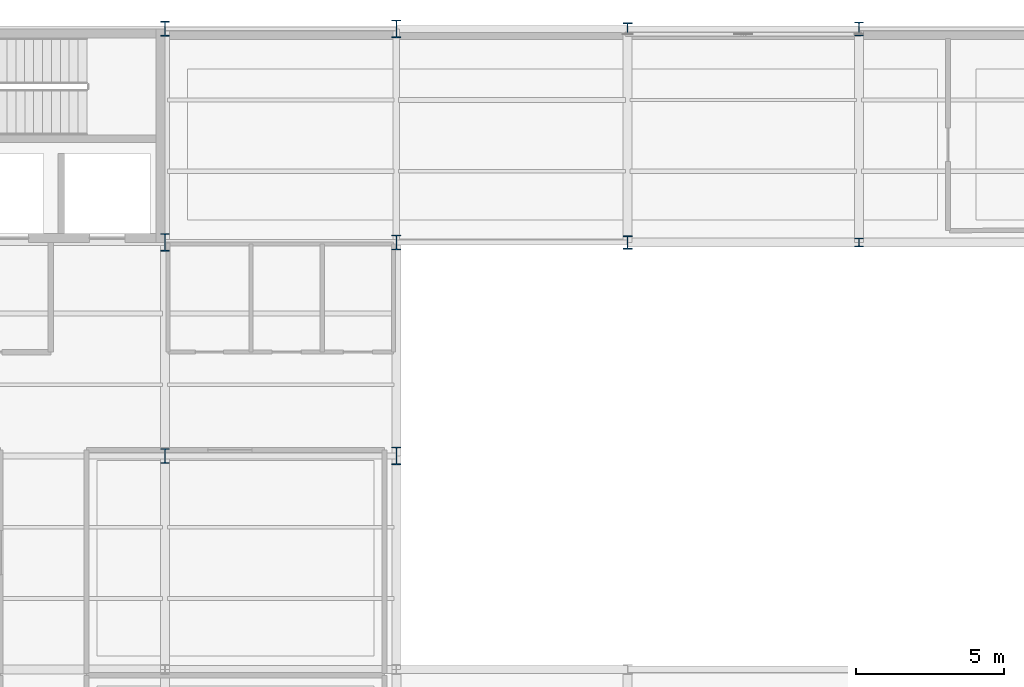
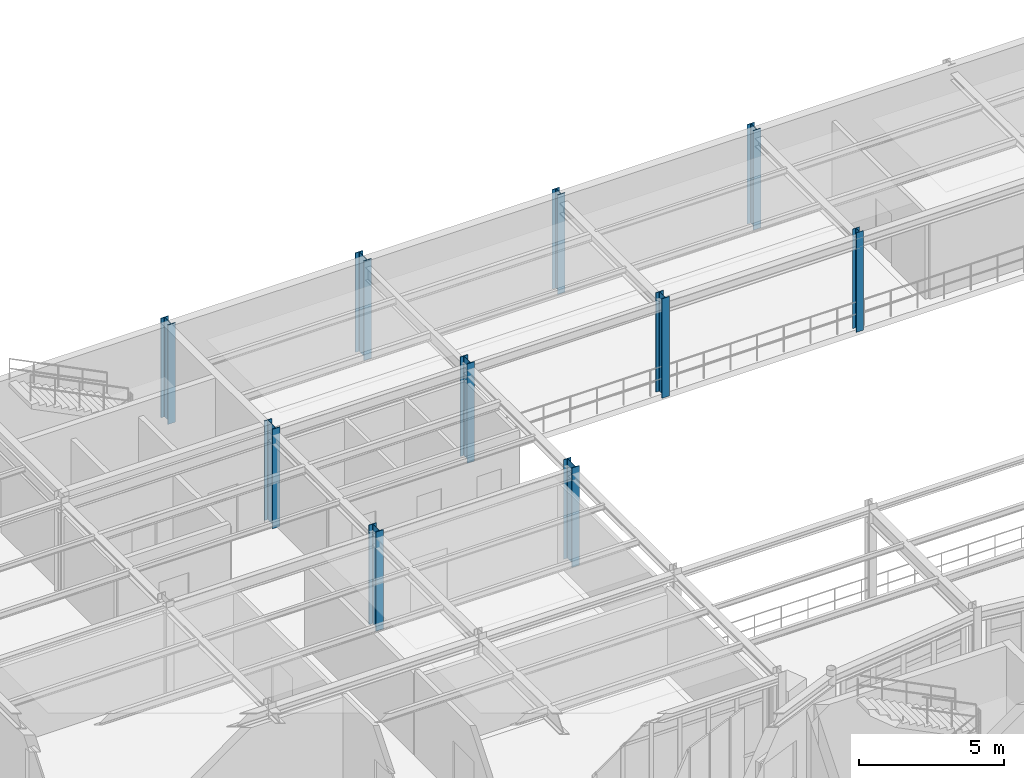
# One storey, part 19 of 90: 10 columns.
"""IFC4 building model written with IfcOpenShell, lengths in metres."""

from ifc_helpers import new_model, si_unit, derived_unit, direction, frame, origin, origin_2d, place, context, subcontext, project, spatial, i_section, extrude, material, material_profile, profile_set, type_object, element, save


model = new_model("IFC4")

# Units and contexts
model_context = context("Model", 3, precision=1e-05, world=origin(), true_north=direction((0.0, 1.0)))
body_context = subcontext(model_context, "Body", "Model", "MODEL_VIEW")
ifc_project = project(units=[si_unit("LENGTHUNIT", "METRE"), si_unit("AREAUNIT", "SQUARE_METRE"), si_unit("VOLUMEUNIT", "CUBIC_METRE"), si_unit("PLANEANGLEUNIT", "RADIAN"), si_unit("MASSUNIT", "GRAM", prefix="KILO"), derived_unit("THERMALTRANSMITTANCEUNIT", [(si_unit("POWERUNIT", "WATT"), 1), (si_unit("AREAUNIT", "SQUARE_METRE"), -1), (si_unit("THERMODYNAMICTEMPERATUREUNIT", "KELVIN"), -1)])], contexts=[model_context])

# Site, building, storey
site_placement = place(None, origin())
site = spatial("IfcSite", under=ifc_project, at=site_placement, CompositionType="ELEMENT")
building_placement = place(site_placement, origin())
building = spatial("IfcBuilding", under=site, at=building_placement, Name="Yasenodar Specialist Clinic", CompositionType="ELEMENT")
storey_placement = place(building_placement, frame((0.0, 0.0, 9.0)))
storey = spatial("IfcBuildingStorey", under=building, at=storey_placement, Name="L02", CompositionType="ELEMENT", Elevation=9.0)

# Columns
ifc_material = material(Name="Steel S355", Category="steel")
ifc_material_profile_1 = material_profile(ifc_material, i_section(OverallWidth=0.280029296875, OverallDepth=0.280029296875, WebThickness=0.010498046875, FlangeThickness=0.01806640625, FilletRadius=0.02392578125, at=origin_2d()), Name="HEB 280")
ifc_profile_set_1 = profile_set([ifc_material_profile_1], Name="Steel S355")
column_type_1 = type_object("IfcColumnType", Name="COL-ST-HEB280", PredefinedType="COLUMN", material=ifc_profile_set_1)
column_1_placement = place(storey_placement, frame((88.800048828125, 104.39990234375, 0.0), z_axis=(0.0, 0.0, 1.0), x_axis=(1.0, 0.0, 0.0)))
element("IfcColumn", 1, at=column_1_placement, inside=storey, type_object=column_type_1, Name="L02 Column V5-109", PredefinedType="COLUMN", context=body_context, shape_type="SweptSolid", body=[
    extrude(i_section(OverallWidth=0.280029296875, OverallDepth=0.280029296875, WebThickness=0.010498046875, FlangeThickness=0.01806640625, FilletRadius=0.02392578125, at=origin_2d()), origin(), (0.0, 0.0, 1.0), 4.199951171875),
])
ifc_material_profile_2 = material_profile(ifc_material, i_section(OverallWidth=0.300048828125, OverallDepth=0.39990234375, WebThickness=0.013427734375, FlangeThickness=0.02392578125, FilletRadius=0.027099609375, at=origin_2d()), Name="HEB 400")
ifc_profile_set_2 = profile_set([ifc_material_profile_2], Name="Steel S355")
column_type_2 = type_object("IfcColumnType", Name="COL-ST-HEB400", PredefinedType="COLUMN", material=ifc_profile_set_2)
column_2_placement = place(storey_placement, frame((81.0, 111.60009765625, 0.0), z_axis=(0.0, 0.0, 1.0), x_axis=(1.0, 0.0, 0.0)))
element("IfcColumn", 2, at=column_2_placement, inside=storey, type_object=column_type_2, Name="L02 Column V5-106", PredefinedType="COLUMN", context=body_context, shape_type="SweptSolid", body=[
    extrude(i_section(OverallWidth=0.300048828125, OverallDepth=0.39990234375, WebThickness=0.013427734375, FlangeThickness=0.02392578125, FilletRadius=0.027099609375, at=origin_2d()), origin(), (0.0, 0.0, 1.0), 4.199951171875),
])
ifc_material_profile_3 = material_profile(ifc_material, i_section(OverallWidth=0.300048828125, OverallDepth=0.449951171875, WebThickness=0.013916015625, FlangeThickness=0.02587890625, FilletRadius=0.027099609375, at=origin_2d()), Name="HEB 450")
ifc_profile_set_3 = profile_set([ifc_material_profile_3], Name="Steel S355")
column_type_3 = type_object("IfcColumnType", Name="COL-ST-HEB450", PredefinedType="COLUMN", material=ifc_profile_set_3)
for number, where, z_axis, x_axis, name in (
    (3, (81.0, 104.39990234375, 0.0), (0.0, 0.0, 1.0), (1.0, 0.0, 0.0), "L02 Column V5-105"),
    (4, (88.800048828125, 111.60009765625, 0.0), (0.0, 0.0, 1.0), (1.0, 0.0, 0.0), "L02 Column V5-110"),
):
    element("IfcColumn", number, at=place(storey_placement, frame(where, z_axis=z_axis, x_axis=x_axis)), inside=storey, type_object=column_type_3, Name=name, PredefinedType="COLUMN", context=body_context, shape_type="SweptSolid", body=[
        extrude(i_section(OverallWidth=0.300048828125, OverallDepth=0.449951171875, WebThickness=0.013916015625, FlangeThickness=0.02587890625, FilletRadius=0.027099609375, at=origin_2d()), origin(), (0.0, 0.0, 1.0), 4.199951171875),
    ])
ifc_material_profile_4 = material_profile(ifc_material, i_section(OverallWidth=0.300048828125, OverallDepth=0.5, WebThickness=0.014404296875, FlangeThickness=0.028076171875, FilletRadius=0.027099609375, at=origin_2d()), Name="HEB 500")
ifc_profile_set_4 = profile_set([ifc_material_profile_4], Name="Steel S355")
column_type_4 = type_object("IfcColumnType", Name="COL-ST-HEB500", PredefinedType="COLUMN", material=ifc_profile_set_4)
for number, where, z_axis, x_axis, name in (
    (5, (65.39990234375, 97.199951171875, 0.0), (0.0, 0.0, 1.0), (1.0, 0.0, 0.0), "L02 Column V5-095"),
    (6, (65.39990234375, 111.60009765625, 0.0), (0.0, 0.0, 1.0), (1.0, 0.0, 0.0), "L02 Column V5-097"),
    (7, (73.199951171875, 104.39990234375, 0.0), (0.0, 0.0, 1.0), (1.0, 0.0, 0.0), "L02 Column V5-101"),
):
    element("IfcColumn", number, at=place(storey_placement, frame(where, z_axis=z_axis, x_axis=x_axis)), inside=storey, type_object=column_type_4, Name=name, PredefinedType="COLUMN", context=body_context, shape_type="SweptSolid", body=[
        extrude(i_section(OverallWidth=0.300048828125, OverallDepth=0.5, WebThickness=0.014404296875, FlangeThickness=0.028076171875, FilletRadius=0.027099609375, at=origin_2d()), origin(), (0.0, 0.0, 1.0), 4.199951171875),
    ])
ifc_material_profile_5 = material_profile(ifc_material, i_section(OverallWidth=0.300048828125, OverallDepth=0.60009765625, WebThickness=0.015380859375, FlangeThickness=0.030029296875, FilletRadius=0.027099609375, at=origin_2d()), Name="HEB 600")
ifc_profile_set_5 = profile_set([ifc_material_profile_5], Name="Steel S355")
column_type_5 = type_object("IfcColumnType", Name="COL-ST-HEB600", PredefinedType="COLUMN", material=ifc_profile_set_5)
for number, where, z_axis, x_axis, name in (
    (8, (65.39990234375, 104.39990234375, 0.0), (0.0, 0.0, 1.0), (1.0, 0.0, 0.0), "L02 Column V5-096"),
    (9, (73.199951171875, 97.199951171875, 0.0), (0.0, 0.0, 1.0), (1.0, 0.0, 0.0), "L02 Column V5-100"),
    (10, (73.199951171875, 111.60009765625, 0.0), (0.0, 0.0, 1.0), (1.0, 0.0, 0.0), "L02 Column V5-102"),
):
    element("IfcColumn", number, at=place(storey_placement, frame(where, z_axis=z_axis, x_axis=x_axis)), inside=storey, type_object=column_type_5, Name=name, PredefinedType="COLUMN", context=body_context, shape_type="SweptSolid", body=[
        extrude(i_section(OverallWidth=0.300048828125, OverallDepth=0.60009765625, WebThickness=0.015380859375, FlangeThickness=0.030029296875, FilletRadius=0.027099609375, at=origin_2d()), origin(), (0.0, 0.0, 1.0), 4.199951171875),
    ])

save(model, "model.ifc")
